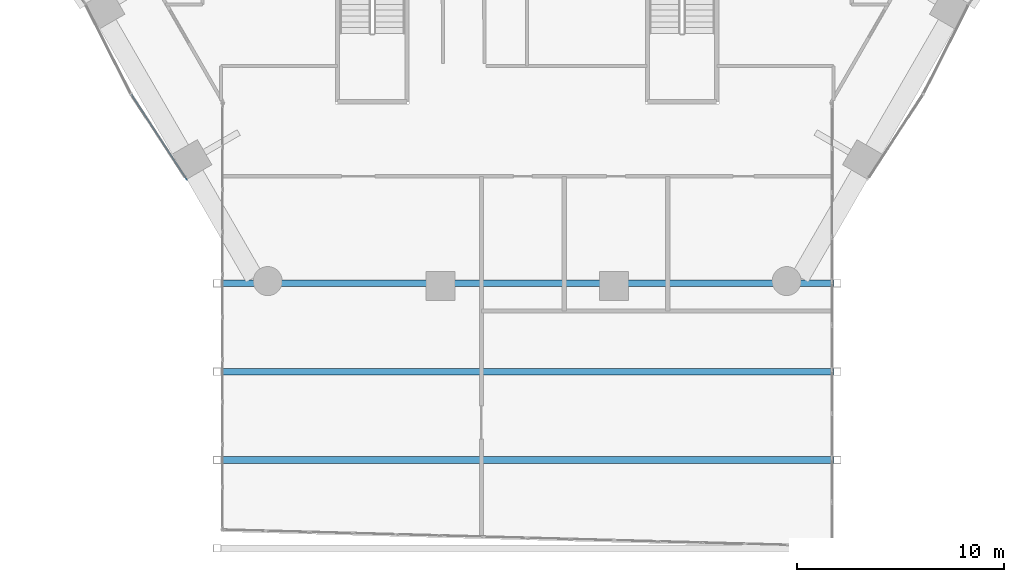
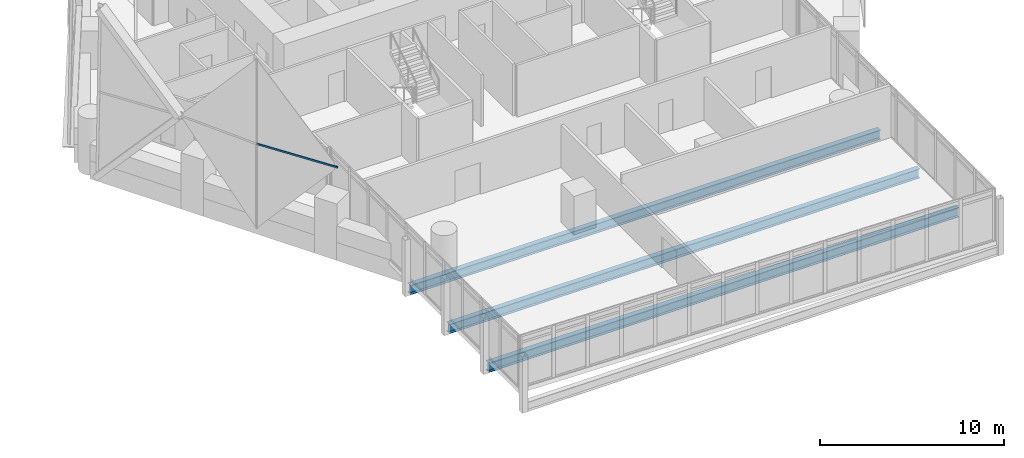
# One storey, part 6 of 35: 3 beams, 1 member, 1 element without a shape of its own.
"""IFC4 building model written with IfcOpenShell, lengths in metres."""

from ifc_helpers import new_model, si_unit, direction, frame, origin, origin_2d, place, context, subcontext, project, spatial, hollow_rectangle, i_section, extrude, material, material_profile, profile_set, type_object, element, aggregate, save


model = new_model("IFC4")

# Units and contexts
model_context = context("Model", 3, precision=1e-05, world=origin(), true_north=direction((0.0, 1.0)))
body_context = subcontext(model_context, "Body", "Model", "MODEL_VIEW")
ifc_project = project(units=[si_unit("LENGTHUNIT", "METRE"), si_unit("AREAUNIT", "SQUARE_METRE"), si_unit("VOLUMEUNIT", "CUBIC_METRE"), si_unit("PLANEANGLEUNIT", "RADIAN"), si_unit("MASSUNIT", "GRAM", prefix="KILO")], contexts=[model_context])

# Site, building, storey
site_placement = place(None, origin())
site = spatial("IfcSite", under=ifc_project, at=site_placement, CompositionType="ELEMENT")
building_placement = place(site_placement, origin())
building = spatial("IfcBuilding", under=site, at=building_placement, Name="Ostrander Bayou Hotel Tower", CompositionType="ELEMENT")
storey_placement = place(building_placement, frame((0.0, 0.0, 69.25)))
storey = spatial("IfcBuildingStorey", under=building, at=storey_placement, Name="L17", CompositionType="ELEMENT", Elevation=69.25)

# Curtain wall, member
ifc_material_1 = material(Name="Aluminium and clear glass", Category="aluminium")
curtain_wall_type = type_object("IfcCurtainWallType", Name="CW-LAT lattice glazing", PredefinedType="NOTDEFINED", material=ifc_material_1)
curtain_wall_placement = place(storey_placement, origin())
curtain_wall = element("IfcCurtainWall", 1, at=curtain_wall_placement, inside=storey, type_object=curtain_wall_type, Name="CW-LAT L17 SW 2", PredefinedType="NOTDEFINED")
ifc_material_2 = material(Name="Aluminium", Category="aluminium")
ifc_material_profile_1 = material_profile(ifc_material_2, hollow_rectangle(XDim=0.06005859375, YDim=0.1201171875, WallThickness=0.00390625, at=origin_2d()))
ifc_profile_set_1 = profile_set([ifc_material_profile_1], Name="Aluminium")
member_type = type_object("IfcMemberType", Name="CW-LA transom 60 x 120 mm", PredefinedType="USERDEFINED", material=ifc_profile_set_1)
member_placement = place(storey_placement, frame((-19.11328125, -11.034912109375, 5.02490234375), z_axis=(0.545081722804, -0.838382916969, 0.0), x_axis=(0.838382916969, 0.545081722804, 0.0)))
member = element("IfcMember", 2, at=member_placement, type_object=member_type, Name="CW-LAT transom 7", ObjectType="TRANSOM", PredefinedType="USERDEFINED", context=body_context, shape_type="SweptSolid", body=[
    extrude(hollow_rectangle(XDim=0.06005859375, YDim=0.1201171875, WallThickness=0.00390625, at=origin_2d()), origin(), (0.0, 0.0, 1.0), 4.962646484375),
])
aggregate(curtain_wall, [member])

# Beams
ifc_material_3 = material(Name="Steel ASTM A992", Category="steel")
ifc_material_profile_2 = material_profile(ifc_material_3, i_section(OverallWidth=0.32763671875, OverallDepth=0.621826171875, WebThickness=0.015380859375, FlangeThickness=0.0244140625, at=origin_2d()))
ifc_profile_set_2 = profile_set([ifc_material_profile_2], Name="Steel ASTM A992")
beam_type = type_object("IfcBeamType", Name="TF1 bar floor beam W24x131", PredefinedType="BEAM", material=ifc_profile_set_2)
for number, where, z_axis, x_axis, name in (
    (3, (-14.787109375, -20.162841796875, -0.61083984375), (1.0, 0.0, 0.0), (0.0, 1.0, 0.0), "TF1 SB1S L2-1"),
    (4, (-14.787109375, -24.42529296875, -0.61083984375), (1.0, 0.0, 0.0), (0.0, 1.0, 0.0), "TF1 SB1S L2-2"),
    (5, (-14.787109375, -28.6875, -0.61083984375), (1.0, 0.0, 0.0), (0.0, 1.0, 0.0), "TF1 SB1S L2-3"),
):
    element("IfcBeam", number, at=place(storey_placement, frame(where, z_axis=z_axis, x_axis=x_axis)), inside=storey, type_object=beam_type, Name=name, PredefinedType="BEAM", context=body_context, shape_type="SweptSolid", body=[
        extrude(i_section(OverallWidth=0.32763671875, OverallDepth=0.621826171875, WebThickness=0.015380859375, FlangeThickness=0.0244140625, at=origin_2d()), origin(), (0.0, 0.0, 1.0), 29.57421875),
    ])

save(model, "model.ifc")
